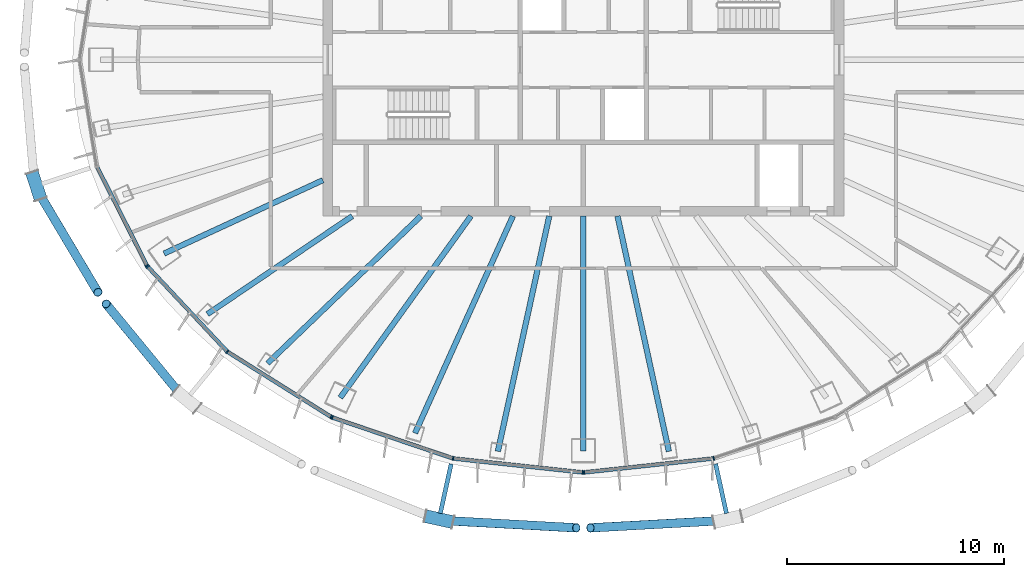
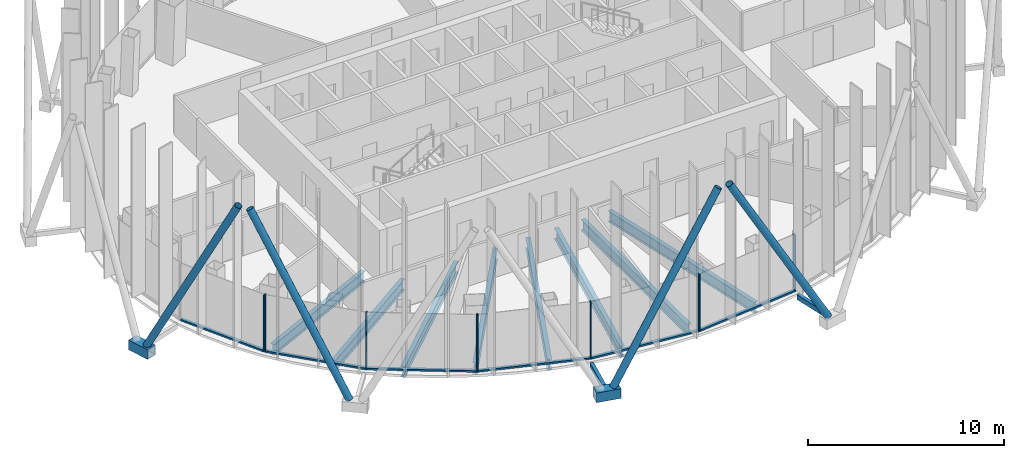
# One storey, part 2 of 19: 23 members, 8 beams, 4 elements without a shape of their own.
"""IFC4 building model written with IfcOpenShell, lengths in metres."""

from ifc_helpers import new_model, si_unit, direction, frame, origin, origin_2d, place, context, subcontext, project, spatial, rectangle, hollow_rectangle, hollow_circle, i_section, extrude, material, layer, layer_set, material_profile, profile_set, type_object, element, aggregate, save


model = new_model("IFC4")

# Units and contexts
model_context = context("Model", 3, precision=1e-05, world=origin(), true_north=direction((0.0, 1.0)))
body_context = subcontext(model_context, "Body", "Model", "MODEL_VIEW")
ifc_project = project(units=[si_unit("LENGTHUNIT", "METRE"), si_unit("AREAUNIT", "SQUARE_METRE"), si_unit("VOLUMEUNIT", "CUBIC_METRE"), si_unit("PLANEANGLEUNIT", "RADIAN"), si_unit("MASSUNIT", "GRAM", prefix="KILO")], contexts=[model_context])

# Site, building, storey
site_placement = place(None, origin())
site = spatial("IfcSite", under=ifc_project, at=site_placement, CompositionType="ELEMENT")
building_placement = place(site_placement, origin())
building = spatial("IfcBuilding", under=site, at=building_placement, Name="Siaravel Broadcast Tower", CompositionType="ELEMENT")
storey_placement = place(building_placement, frame((0.0, 0.0, 179.300048828125)))
storey = spatial("IfcBuildingStorey", under=building, at=storey_placement, Name="L43", CompositionType="ELEMENT", Elevation=179.300048828125)

# Beams
ifc_material_1 = material(Name="Steel S355", Category="steel")
ifc_material_profile_1 = material_profile(ifc_material_1, i_section(OverallWidth=0.2529296875, OverallDepth=0.677978515625, WebThickness=0.01171875, FlangeThickness=0.01611328125, FilletRadius=0.01513671875, at=origin_2d()))
ifc_profile_set_1 = profile_set([ifc_material_profile_1], Name="Steel S355")
beam_type = type_object("IfcBeamType", Name="BM-UB 686x254x125", PredefinedType="BEAM", material=ifc_profile_set_1)
beam_1_placement = place(storey_placement, frame((-19.31103515625, -8.923828125, -0.489013671875), z_axis=(0.907765873, 0.419477197, 0.0), x_axis=(-0.419477197, 0.907765873, 0.0)))
element("IfcBeam", 1, at=beam_1_placement, inside=storey, type_object=beam_type, Name="Radial beam RB22", PredefinedType="BEAM", context=body_context, shape_type="SweptSolid", body=[
    extrude(i_section(OverallWidth=0.2529296875, OverallDepth=0.677978515625, WebThickness=0.01171875, FlangeThickness=0.01611328125, FilletRadius=0.01513671875, at=origin_2d()), origin(), (0.0, 0.0, 1.0), 8.053955078125),
])
beam_2_placement = place(storey_placement, frame((-17.318115234375, -11.714599609375, -0.489013671875), z_axis=(0.828302437, 0.560281245, 0.0), x_axis=(-0.560281245, 0.828302437, 0.0)))
element("IfcBeam", 2, at=beam_2_placement, inside=storey, type_object=beam_type, Name="Radial beam RB23", PredefinedType="BEAM", context=body_context, shape_type="SweptSolid", body=[
    extrude(i_section(OverallWidth=0.2529296875, OverallDepth=0.677978515625, WebThickness=0.01171875, FlangeThickness=0.01611328125, FilletRadius=0.01513671875, at=origin_2d()), origin(), (0.0, 0.0, 1.0), 8.057861328125),
])
beam_3_placement = place(storey_placement, frame((-14.54736328125, -13.98388671875, -0.489013671875), z_axis=(0.720935136, 0.693002547, 0.0), x_axis=(-0.693002547, 0.720935136, 0.0)))
element("IfcBeam", 3, at=beam_3_placement, inside=storey, type_object=beam_type, Name="Radial beam RB24", PredefinedType="BEAM", context=body_context, shape_type="SweptSolid", body=[
    extrude(i_section(OverallWidth=0.2529296875, OverallDepth=0.677978515625, WebThickness=0.01171875, FlangeThickness=0.01611328125, FilletRadius=0.01513671875, at=origin_2d()), origin(), (0.0, 0.0, 1.0), 9.789306640625),
])
beam_4_placement = place(storey_placement, frame((-11.197998046875, -15.559814453125, -0.489013671875), z_axis=(0.584129245, 0.811660659, 0.0), x_axis=(-0.811660659, 0.584129245, 0.0)))
element("IfcBeam", 4, at=beam_4_placement, inside=storey, type_object=beam_type, Name="Radial beam RB25", PredefinedType="BEAM", context=body_context, shape_type="SweptSolid", body=[
    extrude(i_section(OverallWidth=0.2529296875, OverallDepth=0.677978515625, WebThickness=0.01171875, FlangeThickness=0.01611328125, FilletRadius=0.01513671875, at=origin_2d()), origin(), (0.0, 0.0, 1.0), 10.2998046875),
])
beam_5_placement = place(storey_placement, frame((-7.7529296875, -17.19580078125, -0.489013671875), z_axis=(0.411024671, 0.911624221, 0.0), x_axis=(-0.911624221, 0.411024671, 0.0)))
element("IfcBeam", 5, at=beam_5_placement, inside=storey, type_object=beam_type, Name="Radial beam RB26", PredefinedType="BEAM", context=body_context, shape_type="SweptSolid", body=[
    extrude(i_section(OverallWidth=0.2529296875, OverallDepth=0.677978515625, WebThickness=0.01171875, FlangeThickness=0.01611328125, FilletRadius=0.01513671875, at=origin_2d()), origin(), (0.0, 0.0, 1.0), 10.96484375),
])
beam_6_placement = place(storey_placement, frame((-3.93798828125, -18.033203125, -0.489013671875), z_axis=(0.213348199, 0.976976226, 0.0), x_axis=(-0.976976226, 0.213348199, 0.0)))
element("IfcBeam", 6, at=beam_6_placement, inside=storey, type_object=beam_type, Name="Radial beam RB27", PredefinedType="BEAM", context=body_context, shape_type="SweptSolid", body=[
    extrude(i_section(OverallWidth=0.2529296875, OverallDepth=0.677978515625, WebThickness=0.01171875, FlangeThickness=0.01611328125, FilletRadius=0.01513671875, at=origin_2d()), origin(), (0.0, 0.0, 1.0), 11.088623046875),
])
beam_7_placement = place(storey_placement, frame((0.0, -18.015380859375, -0.489013671875), z_axis=(0.0, 1.0, 0.0), x_axis=(-1.0, 0.0, 0.0)))
element("IfcBeam", 7, at=beam_7_placement, inside=storey, type_object=beam_type, Name="Radial beam RB28", PredefinedType="BEAM", context=body_context, shape_type="SweptSolid", body=[
    extrude(i_section(OverallWidth=0.2529296875, OverallDepth=0.677978515625, WebThickness=0.01171875, FlangeThickness=0.01611328125, FilletRadius=0.01513671875, at=origin_2d()), origin(), (0.0, 0.0, 1.0), 10.8154296875),
])
beam_8_placement = place(storey_placement, frame((3.93798828125, -18.033203125, -0.489013671875), z_axis=(-0.213348199, 0.976976226, 0.0), x_axis=(-0.976976226, -0.213348199, 0.0)))
element("IfcBeam", 8, at=beam_8_placement, inside=storey, type_object=beam_type, Name="Radial beam RB29", PredefinedType="BEAM", context=body_context, shape_type="SweptSolid", body=[
    extrude(i_section(OverallWidth=0.2529296875, OverallDepth=0.677978515625, WebThickness=0.01171875, FlangeThickness=0.01611328125, FilletRadius=0.01513671875, at=origin_2d()), origin(), (0.0, 0.0, 1.0), 11.088623046875),
])

# Curtain wall, member
ifc_material_2 = material(Name="Aluminium 6063-T6", Category="aluminium")
ifc_layer = layer(ifc_material_2, 0.179931640625)
ifc_layer_set = layer_set([ifc_layer], Name="Aluminium 6063-T6")
curtain_wall_type = type_object("IfcCurtainWallType", Name="Unitised curtain wall, zone 3", PredefinedType="NOTDEFINED", material=ifc_layer_set)
curtain_wall_1_placement = place(storey_placement, origin())
curtain_wall_1 = element("IfcCurtainWall", 9, at=curtain_wall_1_placement, inside=storey, type_object=curtain_wall_type, Name="L43 Unitised curtain wall, zone 3 07", PredefinedType="NOTDEFINED")
ifc_material_profile_2 = material_profile(ifc_material_2, rectangle(XDim=0.179931640625, YDim=0.06005859375, at=origin_2d()))
ifc_profile_set_2 = profile_set([ifc_material_profile_2], Name="Aluminium 6063-T6")
member_type_1 = type_object("IfcMemberType", Name="CW-Z3 mullion", PredefinedType="MULLION", material=ifc_profile_set_2)
member_1_placement = place(storey_placement, frame((-20.09814453125, -9.48095703125, 0.0), z_axis=(0.0, 0.0, 1.0), x_axis=(0.892392002, 0.451261028, 0.0)))
member_1 = element("IfcMember", 10, at=member_1_placement, type_object=member_type_1, Name="CW-Z3 mullion 3", PredefinedType="MULLION", context=body_context, shape_type="SweptSolid", body=[
    extrude(rectangle(XDim=0.179931640625, YDim=0.06005859375, at=origin_2d()), origin(), (0.0, 0.0, 1.0), 3.550048828125),
])

# Curtain wall, members
curtain_wall_2_placement = place(storey_placement, origin())
curtain_wall_2 = element("IfcCurtainWall", 11, at=curtain_wall_2_placement, inside=storey, type_object=curtain_wall_type, Name="L43 Unitised curtain wall, zone 3 08", PredefinedType="NOTDEFINED")
member_2_placement = place(storey_placement, frame((-20.064208984375, -9.52978515625, 0.0), z_axis=(0.0, 0.0, 1.0), x_axis=(0.729805016, 0.683655351, 0.0)))
member_2 = element("IfcMember", 12, at=member_2_placement, type_object=member_type_1, Name="CW-Z3 mullion 1", PredefinedType="MULLION", context=body_context, shape_type="SweptSolid", body=[
    extrude(rectangle(XDim=0.179931640625, YDim=0.06005859375, at=origin_2d()), origin(), (0.0, 0.0, 1.0), 3.550048828125),
])
member_3_placement = place(storey_placement, frame((-16.397216796875, -13.44384765625, 0.0), z_axis=(0.0, 0.0, 1.0), x_axis=(0.636218366, 0.771509035, 0.0)))
member_3 = element("IfcMember", 13, at=member_3_placement, type_object=member_type_1, Name="CW-Z3 mullion 2", PredefinedType="MULLION", context=body_context, shape_type="SweptSolid", body=[
    extrude(rectangle(XDim=0.179931640625, YDim=0.06005859375, at=origin_2d()), origin(), (0.0, 0.0, 1.0), 3.550048828125),
])
member_4_placement = place(storey_placement, frame((-11.618896484375, -16.447265625, 0.0), z_axis=(0.0, 0.0, 1.0), x_axis=(0.532148919, 0.846650771, 0.0)))
member_4 = element("IfcMember", 14, at=member_4_placement, type_object=member_type_1, Name="CW-Z3 mullion 3", PredefinedType="MULLION", context=body_context, shape_type="SweptSolid", body=[
    extrude(rectangle(XDim=0.179931640625, YDim=0.06005859375, at=origin_2d()), origin(), (0.0, 0.0, 1.0), 3.550048828125),
])

curtain_wall_3_placement = place(storey_placement, origin())
curtain_wall_3 = element("IfcCurtainWall", 15, at=curtain_wall_3_placement, inside=storey, type_object=curtain_wall_type, Name="L43 Unitised curtain wall, zone 3 09", PredefinedType="NOTDEFINED")
member_5_placement = place(storey_placement, frame((-11.565185546875, -16.472900390625, 0.0), z_axis=(0.0, 0.0, 1.0), x_axis=(0.321300369, 0.946977335, 0.0)))
member_5 = element("IfcMember", 16, at=member_5_placement, type_object=member_type_1, Name="CW-Z3 mullion 1", PredefinedType="MULLION", context=body_context, shape_type="SweptSolid", body=[
    extrude(rectangle(XDim=0.179931640625, YDim=0.06005859375, at=origin_2d()), origin(), (0.0, 0.0, 1.0), 3.550048828125),
])
member_6_placement = place(storey_placement, frame((-6.0009765625, -18.36083984375, 0.0), z_axis=(0.0, 0.0, 1.0), x_axis=(0.215557889, 0.976491063, 0.0)))
member_6 = element("IfcMember", 17, at=member_6_placement, type_object=member_type_1, Name="CW-Z3 mullion 2", PredefinedType="MULLION", context=body_context, shape_type="SweptSolid", body=[
    extrude(rectangle(XDim=0.179931640625, YDim=0.06005859375, at=origin_2d()), origin(), (0.0, 0.0, 1.0), 3.550048828125),
])
member_7_placement = place(storey_placement, frame((-0.02978515625, -19.004638671875, 0.0), z_axis=(0.0, 0.0, 1.0), x_axis=(0.107217391, 0.994235601, 0.0)))
member_7 = element("IfcMember", 18, at=member_7_placement, type_object=member_type_1, Name="CW-Z3 mullion 3", PredefinedType="MULLION", context=body_context, shape_type="SweptSolid", body=[
    extrude(rectangle(XDim=0.179931640625, YDim=0.06005859375, at=origin_2d()), origin(), (0.0, 0.0, 1.0), 3.550048828125),
])

curtain_wall_4_placement = place(storey_placement, origin())
curtain_wall_4 = element("IfcCurtainWall", 19, at=curtain_wall_4_placement, inside=storey, type_object=curtain_wall_type, Name="L43 Unitised curtain wall, zone 3 10", PredefinedType="NOTDEFINED")
member_8_placement = place(storey_placement, frame((0.02978515625, -19.004638671875, 0.0), z_axis=(0.0, 0.0, 1.0), x_axis=(-0.107217391, 0.994235601, 0.0)))
member_8 = element("IfcMember", 20, at=member_8_placement, type_object=member_type_1, Name="CW-Z3 mullion 1", PredefinedType="MULLION", context=body_context, shape_type="SweptSolid", body=[
    extrude(rectangle(XDim=0.179931640625, YDim=0.06005859375, at=origin_2d()), origin(), (0.0, 0.0, 1.0), 3.550048828125),
])
member_9_placement = place(storey_placement, frame((6.0009765625, -18.36083984375, 0.0), z_axis=(0.0, 0.0, 1.0), x_axis=(-0.215557889, 0.976491063, 0.0)))
member_9 = element("IfcMember", 21, at=member_9_placement, type_object=member_type_1, Name="CW-Z3 mullion 2", PredefinedType="MULLION", context=body_context, shape_type="SweptSolid", body=[
    extrude(rectangle(XDim=0.179931640625, YDim=0.06005859375, at=origin_2d()), origin(), (0.0, 0.0, 1.0), 3.550048828125),
])

# Member
ifc_material_profile_3 = material_profile(ifc_material_2, rectangle(XDim=0.179931640625, YDim=0.10009765625, at=origin_2d()))
ifc_profile_set_3 = profile_set([ifc_material_profile_3], Name="Aluminium 6063-T6")
member_type_2 = type_object("IfcMemberType", Name="CW-Z3 transom", PredefinedType="USERDEFINED", material=ifc_profile_set_3)
member_10_placement = place(storey_placement, frame((-22.389892578125, -4.948974609375, 0.050048828125), z_axis=(0.451251966, -0.892396584, 0.0), x_axis=(0.892396584, 0.451251966, 0.0)))
member_10 = element("IfcMember", 22, at=member_10_placement, type_object=member_type_2, Name="CW-Z3 transom 2", ObjectType="TRANSOM", PredefinedType="USERDEFINED", context=body_context, shape_type="SweptSolid", body=[
    extrude(rectangle(XDim=0.179931640625, YDim=0.10009765625, at=origin_2d()), origin(), (0.0, 0.0, 1.0), 5.04833984375),
])

aggregate(curtain_wall_1, [member_1, member_10])

member_11_placement = place(storey_placement, frame((-20.043701171875, -9.551513671875, 0.050048828125), z_axis=(0.683668525, -0.729792674, 0.0), x_axis=(0.729792674, 0.683668525, 0.0)))
member_11 = element("IfcMember", 23, at=member_11_placement, type_object=member_type_2, Name="CW-Z3 transom 1", ObjectType="TRANSOM", PredefinedType="USERDEFINED", context=body_context, shape_type="SweptSolid", body=[
    extrude(rectangle(XDim=0.179931640625, YDim=0.10009765625, at=origin_2d()), origin(), (0.0, 0.0, 1.0), 5.3037109375),
])

member_12_placement = place(storey_placement, frame((-16.371826171875, -13.4599609375, 0.050048828125), z_axis=(0.846649494, -0.53215095, 0.0), x_axis=(0.53215095, 0.846649494, 0.0)))
member_12 = element("IfcMember", 24, at=member_12_placement, type_object=member_type_2, Name="CW-Z3 transom 2", ObjectType="TRANSOM", PredefinedType="USERDEFINED", context=body_context, shape_type="SweptSolid", body=[
    extrude(rectangle(XDim=0.179931640625, YDim=0.10009765625, at=origin_2d()), origin(), (0.0, 0.0, 1.0), 5.583740234375),
])

aggregate(curtain_wall_2, [member_2, member_3, member_4, member_11, member_12])

member_13_placement = place(storey_placement, frame((-11.536865234375, -16.482421875, 0.050048828125), z_axis=(0.946978016, -0.321298361, 0.0), x_axis=(0.321298361, 0.946978016, 0.0)))
member_13 = element("IfcMember", 25, at=member_13_placement, type_object=member_type_2, Name="CW-Z3 transom 1", ObjectType="TRANSOM", PredefinedType="USERDEFINED", context=body_context, shape_type="SweptSolid", body=[
    extrude(rectangle(XDim=0.179931640625, YDim=0.10009765625, at=origin_2d()), origin(), (0.0, 0.0, 1.0), 5.81591796875),
])

member_14_placement = place(storey_placement, frame((-5.97119140625, -18.364013671875, 0.050048828125), z_axis=(0.994236066, -0.107213083, 0.0), x_axis=(0.107213083, 0.994236066, 0.0)))
member_14 = element("IfcMember", 26, at=member_14_placement, type_object=member_type_2, Name="CW-Z3 transom 2", ObjectType="TRANSOM", PredefinedType="USERDEFINED", context=body_context, shape_type="SweptSolid", body=[
    extrude(rectangle(XDim=0.179931640625, YDim=0.10009765625, at=origin_2d()), origin(), (0.0, 0.0, 1.0), 5.945556640625),
])

aggregate(curtain_wall_3, [member_5, member_6, member_7, member_13, member_14])

member_15_placement = place(storey_placement, frame((0.059814453125, -19.00146484375, 0.050048828125), z_axis=(0.994236066, 0.107213083, 0.0), x_axis=(-0.107213083, 0.994236066, 0.0)))
member_15 = element("IfcMember", 27, at=member_15_placement, type_object=member_type_2, Name="CW-Z3 transom 1", ObjectType="TRANSOM", PredefinedType="USERDEFINED", context=body_context, shape_type="SweptSolid", body=[
    extrude(rectangle(XDim=0.179931640625, YDim=0.10009765625, at=origin_2d()), origin(), (0.0, 0.0, 1.0), 5.945556640625),
])

aggregate(curtain_wall_4, [member_8, member_9, member_15])

# Members
ifc_material_3 = material(Name="Steel S460", Category="steel")
ifc_material_profile_4 = material_profile(ifc_material_3, hollow_circle(Radius=0.203125, WallThickness=0.01611328125, at=origin_2d()))
ifc_profile_set_4 = profile_set([ifc_material_profile_4], Name="Steel S460")
member_type_3 = type_object("IfcMemberType", Name="Diagrid diagonal CHS 406.4x16", PredefinedType="BRACE", material=ifc_profile_set_4)
member_16_placement = place(storey_placement, frame((-25.097412109375, -6.10400390625, 0.070068359375), z_axis=(0.231536784, -0.389110429, 0.891618636), x_axis=(0.859367197, 0.511358993, 0.0)))
element("IfcMember", 28, at=member_16_placement, inside=storey, type_object=member_type_3, Name="Diagrid diagonal R18 station 39A", PredefinedType="BRACE", context=body_context, shape_type="SweptSolid", body=[
    extrude(hollow_circle(Radius=0.203125, WallThickness=0.01611328125, at=origin_2d()), origin(), (0.0, 0.0, 1.0), 11.843505859375),
])
member_17_placement = place(storey_placement, frame((-18.53515625, -15.43408203125, 0.070068359375), z_axis=(-0.290339433, 0.353136644, 0.889380416), x_axis=(-0.772444118, -0.635082738, 0.0)))
element("IfcMember", 29, at=member_17_placement, inside=storey, type_object=member_type_3, Name="Diagrid diagonal R18 station 45C", PredefinedType="BRACE", context=body_context, shape_type="SweptSolid", body=[
    extrude(hollow_circle(Radius=0.203125, WallThickness=0.01611328125, at=origin_2d()), origin(), (0.0, 0.0, 1.0), 11.873291015625),
])
for number, where, z_axis, x_axis, name in (
    (30, (-6.3310546875, -21.224853515625, 0.070068359375), (0.494301167, -0.027399796, 0.868858796), (0.055346417, 0.998467212, 0.0), "Diagrid diagonal R18 station 51A"),
    (31, (6.3310546875, -21.224853515625, 0.070068359375), (-0.494301167, -0.027399796, 0.868858796), (0.055346417, -0.998467212, 0.0), "Diagrid diagonal R18 station 57C"),
):
    element("IfcMember", number, at=place(storey_placement, frame(where, z_axis=z_axis, x_axis=x_axis)), inside=storey, type_object=member_type_3, Name=name, PredefinedType="BRACE", context=body_context, shape_type="SweptSolid", body=[
        extrude(hollow_circle(Radius=0.203125, WallThickness=0.01611328125, at=origin_2d()), origin(), (0.0, 0.0, 1.0), 12.153564453125),
    ])
ifc_material_profile_5 = material_profile(ifc_material_3, hollow_rectangle(XDim=0.60009765625, YDim=0.60009765625, WallThickness=0.031982421875, at=origin_2d()))
ifc_profile_set_5 = profile_set([ifc_material_profile_5], Name="Steel S460")
member_type_4 = type_object("IfcMemberType", Name="Diagrid node BOX 600x600x32", PredefinedType="USERDEFINED", material=ifc_profile_set_5)
for number, where, z_axis, x_axis, name in (
    (32, (-25.399169921875, -5.181884765625, -0.199951171875), (0.310899553, -0.950442775, 0.0), (0.950442775, 0.310899553, 0.0), "Diagrid node R18 station 39"),
    (33, (-7.27880859375, -21.016845703125, -0.199951171875), (0.976743379, -0.214411687, 0.0), (0.214411687, 0.976743379, 0.0), "Diagrid node R18 station 51"),
):
    element("IfcMember", number, at=place(storey_placement, frame(where, z_axis=z_axis, x_axis=x_axis)), inside=storey, type_object=member_type_4, Name=name, ObjectType="DIAGRID NODE", PredefinedType="USERDEFINED", context=body_context, shape_type="SweptSolid", body=[
        extrude(hollow_rectangle(XDim=0.60009765625, YDim=0.60009765625, WallThickness=0.031982421875, at=origin_2d()), origin(), (0.0, 0.0, 1.0), 1.29345703125),
    ])
ifc_material_profile_6 = material_profile(ifc_material_3, hollow_rectangle(XDim=0.199951171875, YDim=0.300048828125, WallThickness=0.012451171875, at=origin_2d()))
ifc_profile_set_6 = profile_set([ifc_material_profile_6], Name="Steel S460")
member_type_5 = type_object("IfcMemberType", Name="Diagrid node arm RHS 300x200x12.5", PredefinedType="STRUT", material=ifc_profile_set_6)
for number, where, z_axis, x_axis, name in (
    (34, (-6.089599609375, -18.615966796875, -0.199951171875), (-0.214378037, -0.976750765, 0.0), (0.976750765, -0.214378037, 0.0), "Node arm R18 station 51"),
    (35, (6.089599609375, -18.615966796875, -0.199951171875), (0.214378037, -0.976750765, 0.0), (0.976750765, 0.214378037, 0.0), "Node arm R18 station 57"),
):
    element("IfcMember", number, at=place(storey_placement, frame(where, z_axis=z_axis, x_axis=x_axis)), inside=storey, type_object=member_type_5, Name=name, PredefinedType="STRUT", context=body_context, shape_type="SweptSolid", body=[
        extrude(hollow_rectangle(XDim=0.199951171875, YDim=0.300048828125, WallThickness=0.012451171875, at=origin_2d()), origin(), (0.0, 0.0, 1.0), 2.330078125),
    ])

save(model, "model.ifc")
